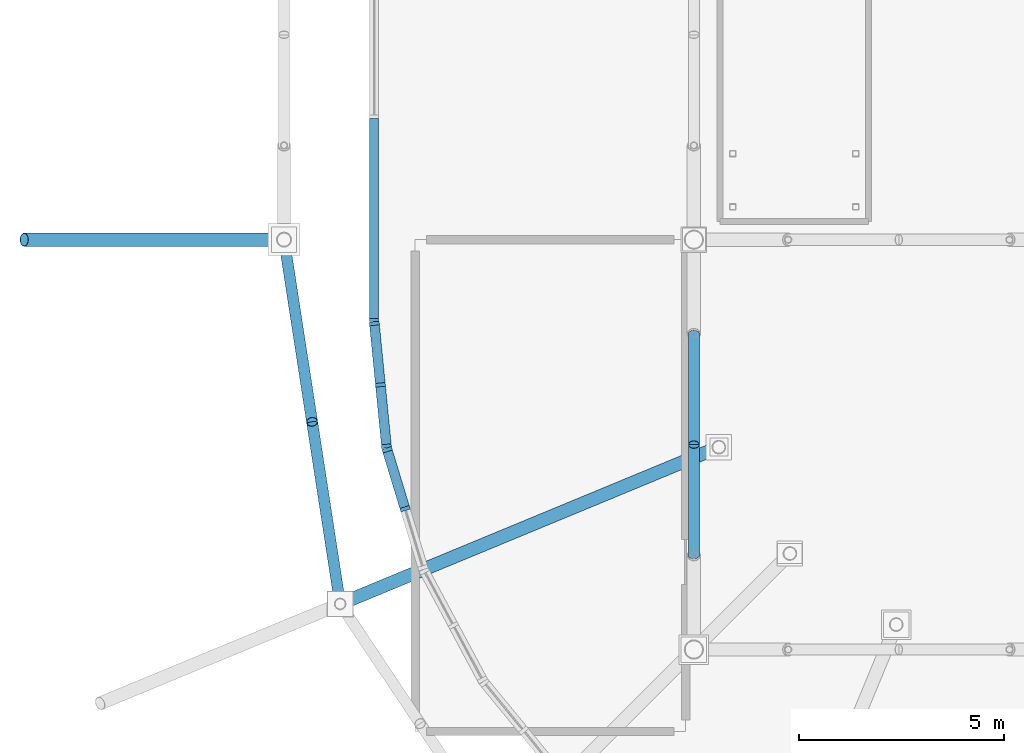
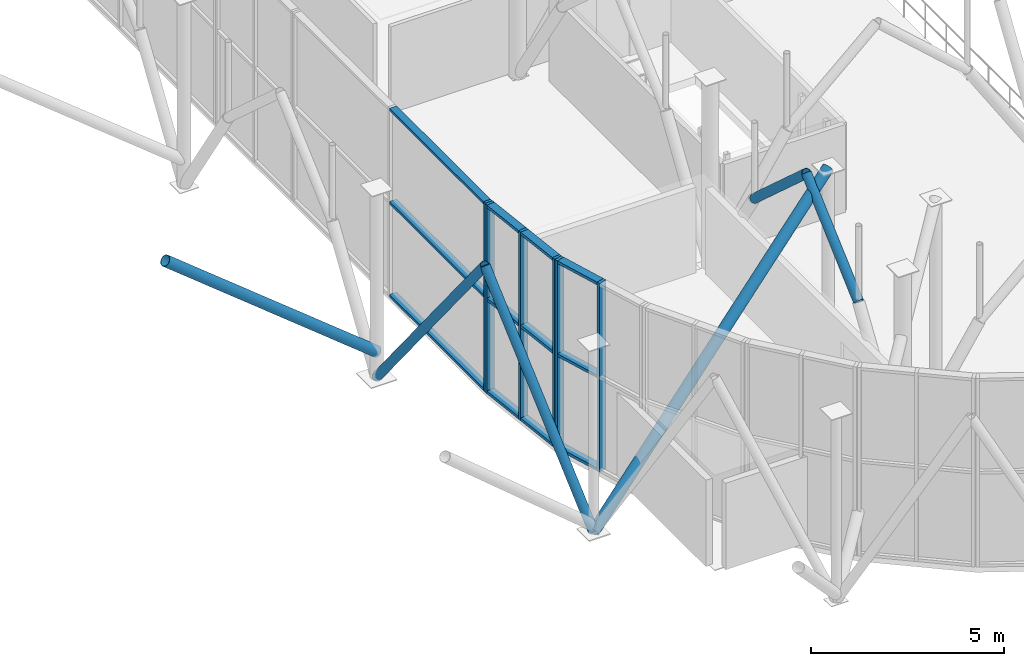
# One storey, part 31 of 109: 24 members, 3 elements without a shape of their own.
"""IFC4 building model written with IfcOpenShell, lengths in metres."""

from ifc_helpers import new_model, si_unit, derived_unit, direction, frame, origin, origin_2d_with_axis, place, context, subcontext, project, spatial, rectangle, hollow_circle, extrude, material, material_profile, profile_set, type_object, element, aggregate, save


model = new_model("IFC4")

# Units and contexts
model_context = context("Model", 3, precision=1e-05, world=origin(), true_north=direction((0.0, 1.0)))
body_context = subcontext(model_context, "Body", "Model", "MODEL_VIEW")
ifc_project = project(units=[si_unit("LENGTHUNIT", "METRE"), si_unit("AREAUNIT", "SQUARE_METRE"), si_unit("VOLUMEUNIT", "CUBIC_METRE"), si_unit("PLANEANGLEUNIT", "RADIAN"), si_unit("MASSUNIT", "GRAM", prefix="KILO"), derived_unit("THERMALTRANSMITTANCEUNIT", [(si_unit("POWERUNIT", "WATT"), 1), (si_unit("LENGTHUNIT", "METRE"), -2), (si_unit("THERMODYNAMICTEMPERATUREUNIT", "KELVIN"), -1)])], contexts=[model_context])

# Site, building, storey
site_placement = place(None, origin())
site = spatial("IfcSite", under=ifc_project, at=site_placement, CompositionType="ELEMENT")
building_placement = place(site_placement, origin())
building = spatial("IfcBuilding", under=site, at=building_placement, Name="Cinnabar Yard Market Hall", CompositionType="ELEMENT")
storey_placement = place(building_placement, frame((0.0, 0.0, 8.39990234375)))
storey = spatial("IfcBuildingStorey", under=building, at=storey_placement, Name="L02", CompositionType="ELEMENT", Elevation=8.39990234375)

# Curtain wall, members
ifc_material_1 = material(Name="Anodised bronze aluminium curved-chord facade", Category="aluminium")
curtain_wall_type_1 = type_object("IfcCurtainWallType", Name="CW-CWC031x60", PredefinedType="NOTDEFINED", material=ifc_material_1)
curtain_wall_1_placement = place(storey_placement, origin())
curtain_wall_1 = element("IfcCurtainWall", 1, at=curtain_wall_1_placement, inside=storey, type_object=curtain_wall_type_1, Name="Corner SW Chord 1 L02", PredefinedType="NOTDEFINED")
ifc_material_2 = material(Name="Anodised bronze aluminium", Category="aluminium")
ifc_material_profile_1 = material_profile(ifc_material_2, rectangle(XDim=0.239990234375, YDim=0.090087890625, at=origin_2d_with_axis()), Name="MUL-CWC")
ifc_profile_set_1 = profile_set([ifc_material_profile_1], Name="Anodised bronze aluminium")
member_type_1 = type_object("IfcMemberType", Name="CWM-CWC", PredefinedType="MULLION", material=ifc_profile_set_1)
member_1_placement = place(storey_placement, frame((68.204345703125, 31.955322265625, 0.0), z_axis=(0.0, 0.0, 1.0), x_axis=(0.995184408637, 0.098020369342, 0.0)))
member_1 = element("IfcMember", 2, at=member_1_placement, type_object=member_type_1, Name="CWC031x60 mullion 1", PredefinedType="MULLION", context=body_context, shape_type="SweptSolid", body=[
    extrude(rectangle(XDim=0.239990234375, YDim=0.090087890625, at=origin_2d_with_axis()), origin(), (0.0, 0.0, 1.0), 5.97998046875),
])
member_2_placement = place(storey_placement, frame((68.351806640625, 30.458740234375, 0.0), z_axis=(0.0, 0.0, 1.0), x_axis=(0.995184408637, 0.098020369342, 0.0)))
member_2 = element("IfcMember", 3, at=member_2_placement, type_object=member_type_1, Name="CWC031x60 mullion 2", PredefinedType="MULLION", context=body_context, shape_type="SweptSolid", body=[
    extrude(rectangle(XDim=0.239990234375, YDim=0.090087890625, at=origin_2d_with_axis()), origin(), (0.0, 0.0, 1.0), 5.97998046875),
])
member_3_placement = place(storey_placement, frame((68.499267578125, 28.96240234375, 0.0), z_axis=(0.0, 0.0, 1.0), x_axis=(0.995184408637, 0.098020369342, 0.0)))
member_3 = element("IfcMember", 4, at=member_3_placement, type_object=member_type_1, Name="CWC031x60 mullion 3", PredefinedType="MULLION", context=body_context, shape_type="SweptSolid", body=[
    extrude(rectangle(XDim=0.239990234375, YDim=0.090087890625, at=origin_2d_with_axis()), origin(), (0.0, 0.0, 1.0), 5.97998046875),
])

curtain_wall_2_placement = place(storey_placement, origin())
curtain_wall_2 = element("IfcCurtainWall", 5, at=curtain_wall_2_placement, inside=storey, type_object=curtain_wall_type_1, Name="Corner SW Chord 2 L02", PredefinedType="NOTDEFINED")
member_4_placement = place(storey_placement, frame((68.5166015625, 28.87451171875, 0.0), z_axis=(0.0, 0.0, 1.0), x_axis=(0.956942090856, 0.290278891325, 0.0)))
member_4 = element("IfcMember", 6, at=member_4_placement, type_object=member_type_1, Name="CWC031x60 mullion 1", PredefinedType="MULLION", context=body_context, shape_type="SweptSolid", body=[
    extrude(rectangle(XDim=0.239990234375, YDim=0.090087890625, at=origin_2d_with_axis()), origin(), (0.0, 0.0, 1.0), 5.97998046875),
])
member_5_placement = place(storey_placement, frame((68.953125, 27.435546875, 0.0), z_axis=(0.0, 0.0, 1.0), x_axis=(0.956942090856, 0.290278891325, 0.0)))
member_5 = element("IfcMember", 7, at=member_5_placement, type_object=member_type_1, Name="CWC031x60 mullion 2", PredefinedType="MULLION", context=body_context, shape_type="SweptSolid", body=[
    extrude(rectangle(XDim=0.239990234375, YDim=0.090087890625, at=origin_2d_with_axis()), origin(), (0.0, 0.0, 1.0), 5.97998046875),
])

# Curtain wall, member
ifc_material_3 = material(Name="Anodised bronze aluminium and low-E glass", Category="aluminium")
curtain_wall_type_2 = type_object("IfcCurtainWallType", Name="CW-CWH100x60", PredefinedType="NOTDEFINED", material=ifc_material_3)
curtain_wall_3_placement = place(storey_placement, origin())
curtain_wall_3 = element("IfcCurtainWall", 8, at=curtain_wall_3_placement, inside=storey, type_object=curtain_wall_type_2, Name="Market Hall West Upper Clerestory W1", PredefinedType="NOTDEFINED")
ifc_material_profile_2 = material_profile(ifc_material_2, rectangle(XDim=0.219970703125, YDim=0.080078125, at=origin_2d_with_axis()), Name="MUL-CWH")
ifc_profile_set_2 = profile_set([ifc_material_profile_2], Name="Anodised bronze aluminium")
member_type_2 = type_object("IfcMemberType", Name="CWM-CWH", PredefinedType="MULLION", material=ifc_profile_set_2)
member_6_placement = place(storey_placement, frame((68.199951171875, 32.0400390625, 0.0), z_axis=(0.0, 0.0, 1.0), x_axis=(1.0, 0.0, 0.0)))
member_6 = element("IfcMember", 9, at=member_6_placement, type_object=member_type_2, Name="CWH100x60 mullion 3", PredefinedType="MULLION", context=body_context, shape_type="SweptSolid", body=[
    extrude(rectangle(XDim=0.219970703125, YDim=0.080078125, at=origin_2d_with_axis()), origin(), (0.0, 0.0, 1.0), 5.97998046875),
])

# Member
ifc_material_profile_3 = material_profile(ifc_material_2, rectangle(XDim=0.239990234375, YDim=0.090087890625, at=origin_2d_with_axis()), Name="TRN-CWC")
ifc_profile_set_3 = profile_set([ifc_material_profile_3], Name="Anodised bronze aluminium")
member_type_3 = type_object("IfcMemberType", Name="CWT-CWC", PredefinedType="USERDEFINED", material=ifc_profile_set_3)
member_7_placement = place(storey_placement, frame((68.208740234375, 31.910400390625, 0.045166015625), z_axis=(0.098101390058, -0.995176425197, 0.0), x_axis=(0.995176425197, 0.098101390058, 0.0)))
member_7 = element("IfcMember", 10, at=member_7_placement, type_object=member_type_3, Name="CWC031x60 transom 1.1", ObjectType="TRANSOM", PredefinedType="USERDEFINED", context=body_context, shape_type="SweptSolid", body=[
    extrude(rectangle(XDim=0.239990234375, YDim=0.090087890625, at=origin_2d_with_axis()), origin(), (0.0, 0.0, 1.0), 1.41357421875),
])

member_8_placement = place(storey_placement, frame((68.208740234375, 31.910400390625, 2.989990234375), z_axis=(0.098101390058, -0.995176425197, 0.0), x_axis=(0.995176425197, 0.098101390058, 0.0)))
member_8 = element("IfcMember", 11, at=member_8_placement, type_object=member_type_3, Name="CWC031x60 transom 1.2", ObjectType="TRANSOM", PredefinedType="USERDEFINED", context=body_context, shape_type="SweptSolid", body=[
    extrude(rectangle(XDim=0.239990234375, YDim=0.090087890625, at=origin_2d_with_axis()), origin(), (0.0, 0.0, 1.0), 1.41357421875),
])

member_9_placement = place(storey_placement, frame((68.208740234375, 31.910400390625, 5.93505859375), z_axis=(0.098101390058, -0.995176425197, 0.0), x_axis=(0.995176425197, 0.098101390058, 0.0)))
member_9 = element("IfcMember", 12, at=member_9_placement, type_object=member_type_3, Name="CWC031x60 transom 1.3", ObjectType="TRANSOM", PredefinedType="USERDEFINED", context=body_context, shape_type="SweptSolid", body=[
    extrude(rectangle(XDim=0.239990234375, YDim=0.090087890625, at=origin_2d_with_axis()), origin(), (0.0, 0.0, 1.0), 1.41357421875),
])

member_10_placement = place(storey_placement, frame((68.356201171875, 30.4140625, 0.045166015625), z_axis=(0.098084531214, -0.995178086946, 0.0), x_axis=(0.995178086946, 0.098084531214, 0.0)))
member_10 = element("IfcMember", 13, at=member_10_placement, type_object=member_type_3, Name="CWC031x60 transom 2.1", ObjectType="TRANSOM", PredefinedType="USERDEFINED", context=body_context, shape_type="SweptSolid", body=[
    extrude(rectangle(XDim=0.239990234375, YDim=0.090087890625, at=origin_2d_with_axis()), origin(), (0.0, 0.0, 1.0), 1.413818359375),
])

member_11_placement = place(storey_placement, frame((68.356201171875, 30.4140625, 2.989990234375), z_axis=(0.098084531214, -0.995178086946, 0.0), x_axis=(0.995178086946, 0.098084531214, 0.0)))
member_11 = element("IfcMember", 14, at=member_11_placement, type_object=member_type_3, Name="CWC031x60 transom 2.2", ObjectType="TRANSOM", PredefinedType="USERDEFINED", context=body_context, shape_type="SweptSolid", body=[
    extrude(rectangle(XDim=0.239990234375, YDim=0.090087890625, at=origin_2d_with_axis()), origin(), (0.0, 0.0, 1.0), 1.413818359375),
])

member_12_placement = place(storey_placement, frame((68.356201171875, 30.4140625, 5.93505859375), z_axis=(0.098084531214, -0.995178086946, 0.0), x_axis=(0.995178086946, 0.098084531214, 0.0)))
member_12 = element("IfcMember", 15, at=member_12_placement, type_object=member_type_3, Name="CWC031x60 transom 2.3", ObjectType="TRANSOM", PredefinedType="USERDEFINED", context=body_context, shape_type="SweptSolid", body=[
    extrude(rectangle(XDim=0.239990234375, YDim=0.090087890625, at=origin_2d_with_axis()), origin(), (0.0, 0.0, 1.0), 1.413818359375),
])

aggregate(curtain_wall_1, [member_1, member_2, member_3, member_7, member_8, member_9, member_10, member_11, member_12])

member_13_placement = place(storey_placement, frame((68.52978515625, 28.83154296875, 0.045166015625), z_axis=(0.290309352341, -0.956932850279, 0.0), x_axis=(0.956932850279, 0.290309352341, 0.0)))
member_13 = element("IfcMember", 16, at=member_13_placement, type_object=member_type_3, Name="CWC031x60 transom 1.1", ObjectType="TRANSOM", PredefinedType="USERDEFINED", context=body_context, shape_type="SweptSolid", body=[
    extrude(rectangle(XDim=0.239990234375, YDim=0.090087890625, at=origin_2d_with_axis()), origin(), (0.0, 0.0, 1.0), 1.41357421875),
])

member_14_placement = place(storey_placement, frame((68.52978515625, 28.83154296875, 2.989990234375), z_axis=(0.290309352341, -0.956932850279, 0.0), x_axis=(0.956932850279, 0.290309352341, 0.0)))
member_14 = element("IfcMember", 17, at=member_14_placement, type_object=member_type_3, Name="CWC031x60 transom 1.2", ObjectType="TRANSOM", PredefinedType="USERDEFINED", context=body_context, shape_type="SweptSolid", body=[
    extrude(rectangle(XDim=0.239990234375, YDim=0.090087890625, at=origin_2d_with_axis()), origin(), (0.0, 0.0, 1.0), 1.41357421875),
])

member_15_placement = place(storey_placement, frame((68.52978515625, 28.83154296875, 5.93505859375), z_axis=(0.290309352341, -0.956932850279, 0.0), x_axis=(0.956932850279, 0.290309352341, 0.0)))
member_15 = element("IfcMember", 18, at=member_15_placement, type_object=member_type_3, Name="CWC031x60 transom 1.3", ObjectType="TRANSOM", PredefinedType="USERDEFINED", context=body_context, shape_type="SweptSolid", body=[
    extrude(rectangle(XDim=0.239990234375, YDim=0.090087890625, at=origin_2d_with_axis()), origin(), (0.0, 0.0, 1.0), 1.41357421875),
])

aggregate(curtain_wall_2, [member_4, member_5, member_13, member_14, member_15])

ifc_material_profile_4 = material_profile(ifc_material_2, rectangle(XDim=0.219970703125, YDim=0.080078125, at=origin_2d_with_axis()), Name="TRN-CWH")
ifc_profile_set_4 = profile_set([ifc_material_profile_4], Name="Anodised bronze aluminium")
member_type_4 = type_object("IfcMemberType", Name="CWT-CWH", PredefinedType="USERDEFINED", material=ifc_profile_set_4)
member_16_placement = place(storey_placement, frame((68.199951171875, 36.9599609375, 0.0400390625), z_axis=(0.0, -1.0, 0.0), x_axis=(1.0, 0.0, 0.0)))
member_16 = element("IfcMember", 19, at=member_16_placement, type_object=member_type_4, Name="CWH100x60 transom 2.1", ObjectType="TRANSOM", PredefinedType="USERDEFINED", context=body_context, shape_type="SweptSolid", body=[
    extrude(rectangle(XDim=0.219970703125, YDim=0.080078125, at=origin_2d_with_axis()), origin(), (0.0, 0.0, 1.0), 4.8798828125),
])

member_17_placement = place(storey_placement, frame((68.199951171875, 36.9599609375, 2.989990234375), z_axis=(0.0, -1.0, 0.0), x_axis=(1.0, 0.0, 0.0)))
member_17 = element("IfcMember", 20, at=member_17_placement, type_object=member_type_4, Name="CWH100x60 transom 2.2", ObjectType="TRANSOM", PredefinedType="USERDEFINED", context=body_context, shape_type="SweptSolid", body=[
    extrude(rectangle(XDim=0.219970703125, YDim=0.080078125, at=origin_2d_with_axis()), origin(), (0.0, 0.0, 1.0), 4.8798828125),
])

member_18_placement = place(storey_placement, frame((68.199951171875, 36.9599609375, 5.940185546875), z_axis=(0.0, -1.0, 0.0), x_axis=(1.0, 0.0, 0.0)))
member_18 = element("IfcMember", 21, at=member_18_placement, type_object=member_type_4, Name="CWH100x60 transom 2.3", ObjectType="TRANSOM", PredefinedType="USERDEFINED", context=body_context, shape_type="SweptSolid", body=[
    extrude(rectangle(XDim=0.219970703125, YDim=0.080078125, at=origin_2d_with_axis()), origin(), (0.0, 0.0, 1.0), 4.8798828125),
])

aggregate(curtain_wall_3, [member_6, member_16, member_17, member_18])

# Members
ifc_material_4 = material(Name="Spotted-gum glulam-clad steel Grade 350 (350 MPa)", Category="steel")
ifc_material_profile_5 = material_profile(ifc_material_4, hollow_circle(Radius=0.136474609375, WallThickness=0.00927734375, at=origin_2d_with_axis()), Name="273.1x9.3CHS")
ifc_profile_set_5 = profile_set([ifc_material_profile_5], Name="Spotted-gum glulam-clad steel Grade 350 (350 MPa)")
member_type_5 = type_object("IfcMemberType", Name="MB-AR01", PredefinedType="USERDEFINED", material=ifc_profile_set_5)
for number, where, z_axis, x_axis, name in (
    (22, (76.0, 26.300048828125, 3.550048828125), (0.0, 0.743297488271, 0.668961018244), (-1.0, 0.0, 0.0), "Pointed Arch Rib 0002"),
    (23, (76.0, 31.699951171875, 3.550048828125), (0.0, -0.743297488271, 0.668961018244), (1.0, 0.0, 0.0), "Pointed Arch Rib 0005"),
):
    element("IfcMember", number, at=place(storey_placement, frame(where, z_axis=z_axis, x_axis=x_axis)), inside=storey, type_object=member_type_5, Name=name, ObjectType="ARCH RIB", PredefinedType="USERDEFINED", context=body_context, shape_type="SweptSolid", body=[
        extrude(hollow_circle(Radius=0.136474609375, WallThickness=0.00927734375, at=origin_2d_with_axis()), origin(), (0.0, 0.0, 1.0), 3.63232421875),
    ])
ifc_material_profile_6 = material_profile(ifc_material_4, hollow_circle(Radius=0.136474609375, WallThickness=0.00927734375, at=origin_2d_with_axis()), Name="273.1x9.3CHS")
ifc_profile_set_6 = profile_set([ifc_material_profile_6], Name="Spotted-gum glulam-clad steel Grade 350 (350 MPa)")
member_type_6 = type_object("IfcMemberType", Name="MB-AR01E", PredefinedType="USERDEFINED", material=ifc_profile_set_6)
for number, where, z_axis, x_axis, name in (
    (24, (66.0, 34.0, 0.0), (0.09156162834, -0.593975880497, 0.799255354441), (0.988326460719, 0.152350933845, 0.0), "Corner Pointed Arch SW 1A"),
    (25, (67.3701171875, 25.11181640625, 0.0), (-0.09156162834, 0.593975880497, 0.799255354441), (-0.988326460719, -0.152350933845, 0.0), "Corner Pointed Arch SW 1B"),
):
    element("IfcMember", number, at=place(storey_placement, frame(where, z_axis=z_axis, x_axis=x_axis)), inside=storey, type_object=member_type_6, Name=name, ObjectType="ARCH RIB", PredefinedType="USERDEFINED", context=body_context, shape_type="SweptSolid", body=[
        extrude(hollow_circle(Radius=0.136474609375, WallThickness=0.00927734375, at=origin_2d_with_axis()), origin(), (0.0, 0.0, 1.0), 7.48193359375),
    ])
ifc_material_profile_7 = material_profile(ifc_material_4, hollow_circle(Radius=0.161865234375, WallThickness=0.009521484375, at=origin_2d_with_axis()), Name="323.9x9.5CHS")
ifc_profile_set_7 = profile_set([ifc_material_profile_7], Name="Spotted-gum glulam-clad steel Grade 350 (350 MPa)")
member_type_7 = type_object("IfcMemberType", Name="MB-ST01E", PredefinedType="STRUT", material=ifc_profile_set_7)
member_19_placement = place(storey_placement, frame((67.3701171875, 25.11181640625, 0.0), z_axis=(0.792922692544, 0.328425302123, 0.513235252661), x_axis=(-0.382669478028, 0.923885312463, 0.0)))
element("IfcMember", 26, at=member_19_placement, inside=storey, type_object=member_type_7, Name="Corner Radial Inward Arm SW-2", PredefinedType="STRUT", context=body_context, shape_type="SweptSolid", body=[
    extrude(hollow_circle(Radius=0.161865234375, WallThickness=0.009521484375, at=origin_2d_with_axis()), origin(), (0.0, 0.0, 1.0), 11.651611328125),
])
member_20_placement = place(storey_placement, frame((66.0, 34.0, 0.800048828125), z_axis=(-0.779185735248, 0.0, 0.626793099824), x_axis=(0.0, -1.0, 0.0)))
element("IfcMember", 27, at=member_20_placement, inside=storey, type_object=member_type_7, Name="West Chhajja Bracket Arm 34", PredefinedType="STRUT", context=body_context, shape_type="SweptSolid", body=[
    extrude(hollow_circle(Radius=0.161865234375, WallThickness=0.009521484375, at=origin_2d_with_axis()), origin(), (0.0, 0.0, 1.0), 8.13671875),
])

save(model, "model.ifc")
